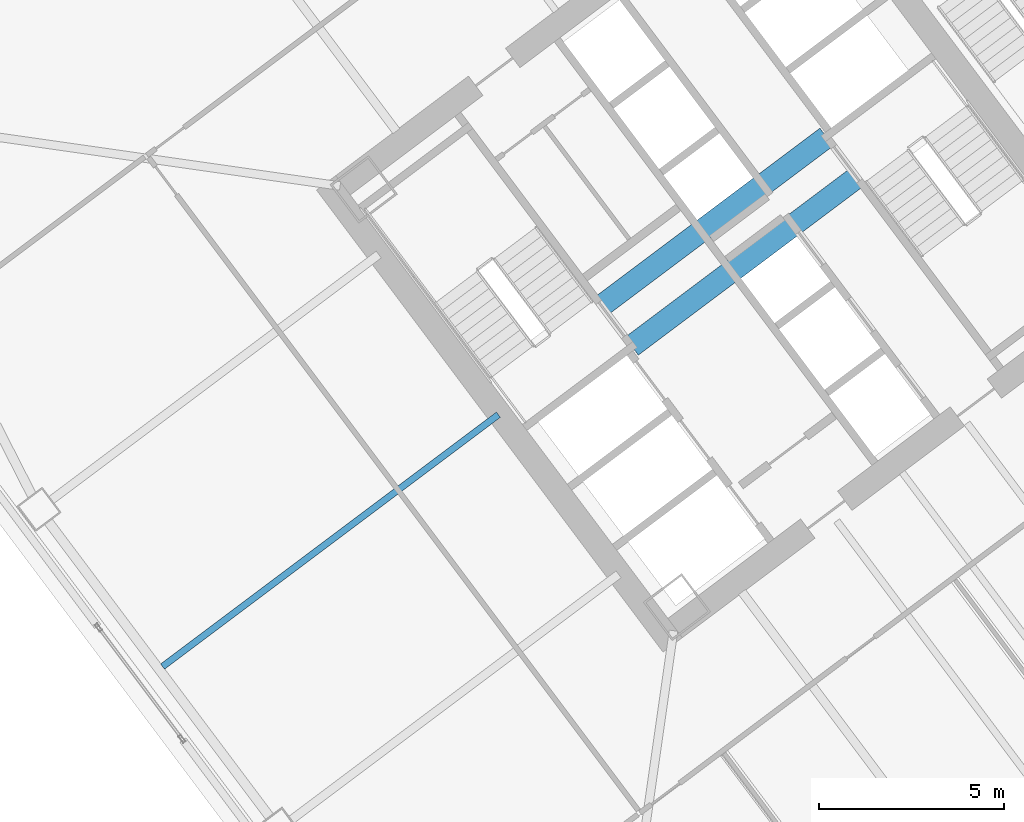
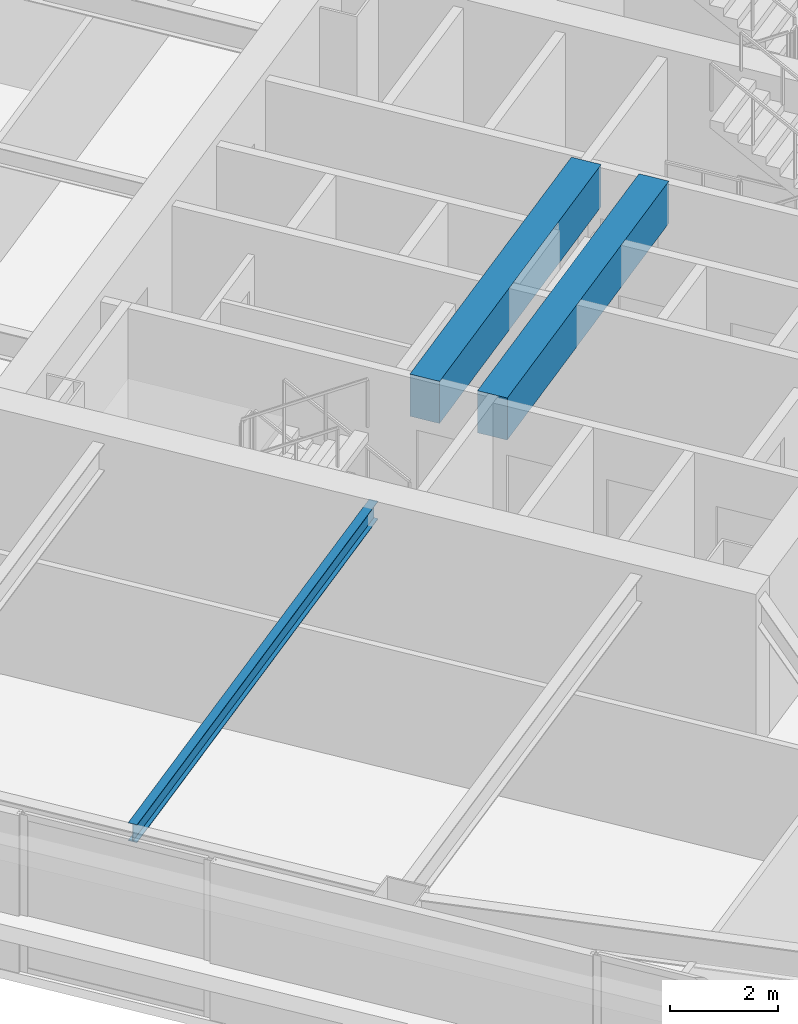
# One storey, part 21 of 44: 3 beams.
"""IFC4 building model written with IfcOpenShell, lengths in metres."""

from ifc_helpers import new_model, si_unit, direction, frame, origin, origin_2d, place, context, subcontext, project, spatial, rectangle, i_section, extrude, material, material_profile, profile_set, type_object, element, save


model = new_model("IFC4")

# Units and contexts
model_context = context("Model", 3, precision=1e-05, world=origin(), true_north=direction((0.0, 1.0)))
body_context = subcontext(model_context, "Body", "Model", "MODEL_VIEW")
ifc_project = project(units=[si_unit("LENGTHUNIT", "METRE"), si_unit("AREAUNIT", "SQUARE_METRE"), si_unit("VOLUMEUNIT", "CUBIC_METRE"), si_unit("PLANEANGLEUNIT", "RADIAN"), si_unit("MASSUNIT", "GRAM", prefix="KILO")], contexts=[model_context])

# Site, building, storey
site_placement = place(None, origin())
site = spatial("IfcSite", under=ifc_project, at=site_placement, CompositionType="ELEMENT")
building_placement = place(site_placement, origin())
building = spatial("IfcBuilding", under=site, at=building_placement, Name="Tashvorn Skyway Center", CompositionType="ELEMENT")
storey_placement = place(building_placement, frame((0.0, 0.0, 95.60009765625)))
storey = spatial("IfcBuildingStorey", under=building, at=storey_placement, Name="L25", CompositionType="ELEMENT", Elevation=95.60009765625)

# Beams
ifc_material_1 = material(Name="Steel ASTM A992 Grade 50", Category="steel")
ifc_material_profile_1 = material_profile(ifc_material_1, i_section(OverallWidth=0.177978515625, OverallDepth=0.406005859375, WebThickness=0.0078125, FlangeThickness=0.0126953125, at=origin_2d()), Name="W16X40")
ifc_profile_set_1 = profile_set([ifc_material_profile_1], Name="Steel ASTM A992 Grade 50")
beam_type_1 = type_object("IfcBeamType", Name="BM-JOIST-W16X40", PredefinedType="JOIST", material=ifc_profile_set_1)
beam_placement = place(storey_placement, frame((107.76806640625, 27.325927734375, 3.14697265625), z_axis=(-0.800002583493, -0.599996555327, 0.0), x_axis=(0.599996555327, -0.800002583493, 0.0)))
element("IfcBeam", 1, at=beam_placement, inside=storey, type_object=beam_type_1, Name="Tower 2 L25 Secondary Composite Joist JW", PredefinedType="JOIST", context=body_context, shape_type="SweptSolid", body=[
    extrude(i_section(OverallWidth=0.177978515625, OverallDepth=0.406005859375, WebThickness=0.0078125, FlangeThickness=0.0126953125, at=origin_2d()), origin(), (0.0, 0.0, 1.0), 11.340087890625),
])
ifc_material_2 = material(Name="Concrete C60/75", Category="concrete")
ifc_material_profile_2 = material_profile(ifc_material_2, rectangle(XDim=0.60009765625, YDim=0.949951171875, at=origin_2d()), Name="RCB600x950")
ifc_profile_set_2 = profile_set([ifc_material_profile_2], Name="Concrete C60/75")
beam_type_2 = type_object("IfcBeamType", Name="BM-LINTEL-RCB600x950", PredefinedType="LINTEL", material=ifc_profile_set_2)
for number, where, z_axis, x_axis, name in (
    (2, (110.552001953125, 30.263916015625, 2.875), (0.8, 0.6, 0.0), (-0.6, 0.8, 0.0), "Tower 2 L25 Core Coupling Beam CN"),
    (3, (111.367919921875, 29.176025390625, 2.875), (0.8, 0.6, 0.0), (-0.6, 0.8, 0.0), "Tower 2 L25 Core Coupling Beam CS"),
):
    element("IfcBeam", number, at=place(storey_placement, frame(where, z_axis=z_axis, x_axis=x_axis)), inside=storey, type_object=beam_type_2, Name=name, PredefinedType="LINTEL", context=body_context, shape_type="SweptSolid", body=[
        extrude(rectangle(XDim=0.60009765625, YDim=0.949951171875, at=origin_2d()), origin(), (0.0, 0.0, 1.0), 7.60009765625),
    ])

save(model, "model.ifc")
